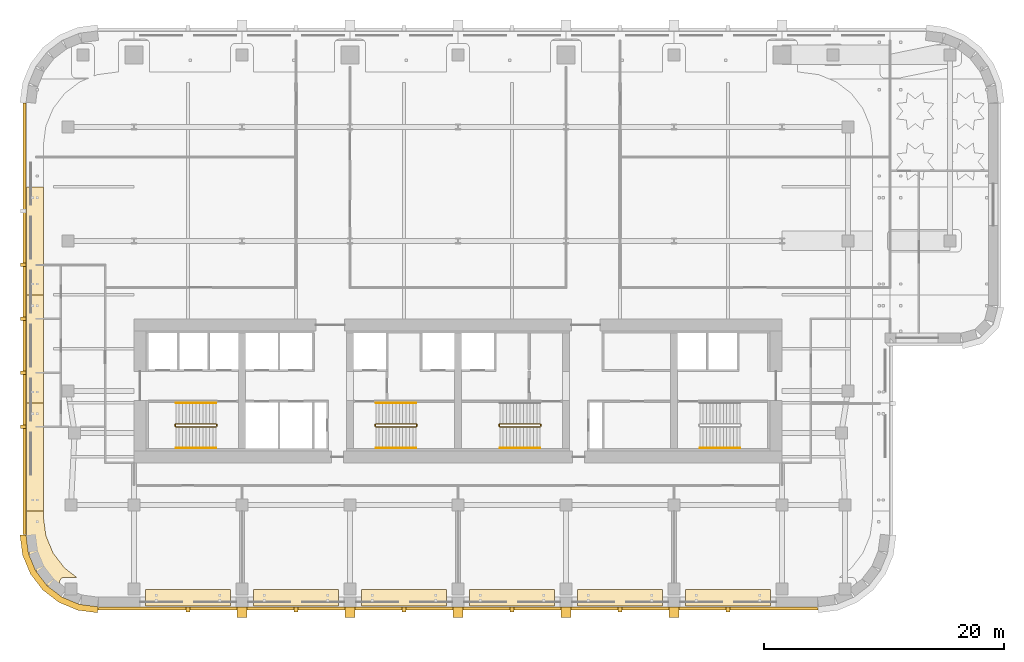
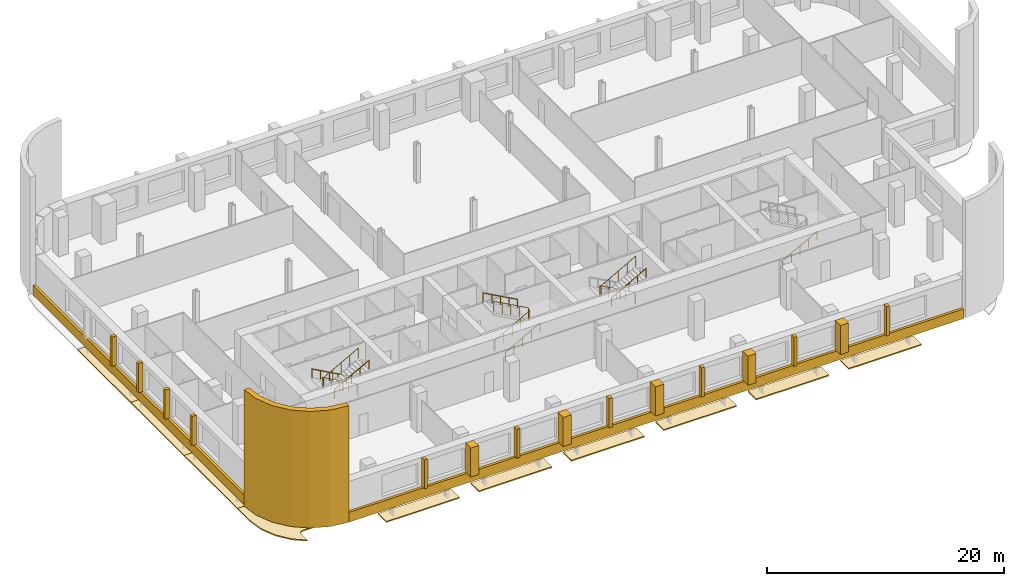
# One storey, part 11 of 13: 28 coverings, 9 railings.
"""IFC4 building model written with IfcOpenShell, lengths in metres."""

from ifc_helpers import new_model, si_unit, direction, frame, origin, origin_2d, place, context, subcontext, project, spatial, polyline, circle, outline, extrude, material, layer, layer_set, type_object, element, save


model = new_model("IFC4")

# Units and contexts
model_context = context("Model", 3, precision=1e-05, world=origin(), true_north=direction((0.0, 1.0)))
body_context = subcontext(model_context, "Body", "Model", "MODEL_VIEW")
ifc_project = project(units=[si_unit("LENGTHUNIT", "METRE"), si_unit("AREAUNIT", "SQUARE_METRE"), si_unit("VOLUMEUNIT", "CUBIC_METRE"), si_unit("PLANEANGLEUNIT", "RADIAN"), si_unit("MASSUNIT", "GRAM", prefix="KILO")], contexts=[model_context])

# Site, building, storey
site_placement = place(None, origin())
site = spatial("IfcSite", under=ifc_project, at=site_placement, CompositionType="ELEMENT")
building_placement = place(site_placement, origin())
building = spatial("IfcBuilding", under=site, at=building_placement, Name="Zellij Exchange Tower", CompositionType="ELEMENT")
storey_placement = place(building_placement, frame((0.0, 0.0, 108.5)))
storey = spatial("IfcBuildingStorey", under=building, at=storey_placement, Name="L23", CompositionType="ELEMENT", Elevation=108.5)

# Railings
ifc_material_1 = material(Name="Stainless steel", Category="steel")
railing_type_1 = type_object("IfcRailingType", Name="CORE-RG stair guard", PredefinedType="GUARDRAIL", material=ifc_material_1)
railing_1_placement = place(storey_placement, frame((-20.10009765625, -10.800048828125, 0.0)))
element("IfcRailing", 1, at=railing_1_placement, inside=storey, type_object=railing_type_1, Name="ST1 stair guard L23", PredefinedType="GUARDRAIL", context=body_context, shape_type="SweptSolid", body=[
    extrude(circle(Radius=0.02392578125, at=origin_2d()), frame((0.0, 0.0, 1.076171875), z_axis=(0.0, -1.0, 0.0), x_axis=(1.0, 0.0, 0.0)), (0.0, 0.0, 1.0), 0.14990234375),
    extrude(circle(Radius=0.02392578125, at=origin_2d()), frame((0.0, -0.14990234375, 1.076171875), z_axis=(-0.193691321961, 0.777613689637, 0.598164376644), x_axis=(-0.970351222016, -0.241699205484, 0.0)), (0.0, 0.0, 1.0), 0.257080078125),
    extrude(circle(Radius=0.02392578125, at=origin_2d()), frame((-0.0498046875, 0.050048828125, 1.22998046875), z_axis=(-0.876421534553, 0.0, 0.481544695509), x_axis=(0.0, -1.0, 0.0)), (0.0, 0.0, 1.0), 3.833984375),
    extrude(circle(Radius=0.02392578125, at=origin_2d()), frame((-3.409912109375, 0.050048828125, 3.076171875), z_axis=(-0.707106781187, -0.707106781187, 0.0), x_axis=(0.707106781187, -0.707106781187, 0.0)), (0.0, 0.0, 1.0), 0.07080078125),
    extrude(circle(Radius=0.02392578125, at=origin_2d()), frame((-3.4599609375, 0.0, 3.076171875), z_axis=(0.0, -1.0, 0.0), x_axis=(1.0, 0.0, 0.0)), (0.0, 0.0, 1.0), 0.14990234375),
    extrude(circle(Radius=0.02392578125, at=origin_2d()), frame((-3.4599609375, -0.14990234375, 3.076171875), z_axis=(0.295599637079, -0.295599637079, 0.908428152975), x_axis=(0.707106781187, 0.707106781187, 0.0)), (0.0, 0.0, 1.0), 0.16943359375),
    extrude(circle(Radius=0.02392578125, at=origin_2d()), frame((-3.409912109375, -0.199951171875, 3.22998046875), z_axis=(0.876421534553, 0.0, 0.481544695509), x_axis=(0.0, 1.0, 0.0)), (0.0, 0.0, 1.0), 3.833984375),
    extrude(circle(Radius=0.02099609375, at=origin_2d()), origin(), (0.0, 0.0, 1.0), 1.052001953125),
    extrude(circle(Radius=0.02099609375, at=origin_2d()), frame((0.0, -0.14990234375, 0.0)), (0.0, 0.0, 1.0), 1.052001953125),
    extrude(circle(Radius=0.02099609375, at=origin_2d()), frame((-0.0498046875, 0.050048828125, 0.15380859375)), (0.0, 0.0, 1.0), 1.052001953125),
    extrude(circle(Radius=0.02099609375, at=origin_2d()), frame((-0.889892578125, 0.050048828125, 0.615234375)), (0.0, 0.0, 1.0), 1.052001953125),
    extrude(circle(Radius=0.02099609375, at=origin_2d()), frame((-1.72998046875, 0.050048828125, 1.076904296875)), (0.0, 0.0, 1.0), 1.052001953125),
    extrude(circle(Radius=0.02099609375, at=origin_2d()), frame((-2.56982421875, 0.050048828125, 1.53857421875)), (0.0, 0.0, 1.0), 1.052001953125),
    extrude(circle(Radius=0.02099609375, at=origin_2d()), frame((-3.409912109375, 0.050048828125, 2.0)), (0.0, 0.0, 1.0), 1.052001953125),
    extrude(circle(Radius=0.02099609375, at=origin_2d()), frame((-3.4599609375, 0.0, 2.0)), (0.0, 0.0, 1.0), 1.052001953125),
    extrude(circle(Radius=0.02099609375, at=origin_2d()), frame((-3.4599609375, -0.14990234375, 2.0)), (0.0, 0.0, 1.0), 1.052001953125),
    extrude(circle(Radius=0.02099609375, at=origin_2d()), frame((-3.409912109375, -0.199951171875, 2.15380859375)), (0.0, 0.0, 1.0), 1.052001953125),
    extrude(circle(Radius=0.02099609375, at=origin_2d()), frame((-2.56982421875, -0.199951171875, 2.615234375)), (0.0, 0.0, 1.0), 1.052001953125),
    extrude(circle(Radius=0.02099609375, at=origin_2d()), frame((-1.72998046875, -0.199951171875, 3.076904296875)), (0.0, 0.0, 1.0), 1.052001953125),
    extrude(circle(Radius=0.02099609375, at=origin_2d()), frame((-0.889892578125, -0.199951171875, 3.53857421875)), (0.0, 0.0, 1.0), 1.052001953125),
    extrude(circle(Radius=0.02099609375, at=origin_2d()), frame((-0.0498046875, -0.199951171875, 4.0)), (0.0, 0.0, 1.0), 1.052001953125),
])
railing_2_placement = place(storey_placement, frame((-6.89990234375, -10.949951171875, 0.0)))
element("IfcRailing", 2, at=railing_2_placement, inside=storey, type_object=railing_type_1, Name="ST2 stair guard L23", PredefinedType="GUARDRAIL", context=body_context, shape_type="SweptSolid", body=[
    extrude(circle(Radius=0.02392578125, at=origin_2d()), frame((0.0, 0.0, 1.076171875), z_axis=(0.0, 1.0, 0.0), x_axis=(-1.0, 0.0, 0.0)), (0.0, 0.0, 1.0), 0.14990234375),
    extrude(circle(Radius=0.02392578125, at=origin_2d()), frame((0.0, 0.14990234375, 1.076171875), z_axis=(0.193691321961, -0.777613689637, 0.598164376644), x_axis=(0.970351222016, 0.241699205484, 0.0)), (0.0, 0.0, 1.0), 0.257080078125),
    extrude(circle(Radius=0.02392578125, at=origin_2d()), frame((0.0498046875, -0.050048828125, 1.22998046875), z_axis=(0.876421534553, 0.0, 0.481544695509), x_axis=(0.0, 1.0, 0.0)), (0.0, 0.0, 1.0), 3.833984375),
    extrude(circle(Radius=0.02392578125, at=origin_2d()), frame((3.409912109375, -0.050048828125, 3.076171875), z_axis=(0.707106781187, 0.707106781187, 0.0), x_axis=(-0.707106781187, 0.707106781187, 0.0)), (0.0, 0.0, 1.0), 0.07080078125),
    extrude(circle(Radius=0.02392578125, at=origin_2d()), frame((3.4599609375, 0.0, 3.076171875), z_axis=(0.0, 1.0, 0.0), x_axis=(-1.0, 0.0, 0.0)), (0.0, 0.0, 1.0), 0.14990234375),
    extrude(circle(Radius=0.02392578125, at=origin_2d()), frame((3.4599609375, 0.14990234375, 3.076171875), z_axis=(-0.295599637079, 0.295599637079, 0.908428152975), x_axis=(-0.707106781187, -0.707106781187, 0.0)), (0.0, 0.0, 1.0), 0.16943359375),
    extrude(circle(Radius=0.02392578125, at=origin_2d()), frame((3.409912109375, 0.199951171875, 3.22998046875), z_axis=(-0.876421534553, 0.0, 0.481544695509), x_axis=(0.0, -1.0, 0.0)), (0.0, 0.0, 1.0), 3.833984375),
    extrude(circle(Radius=0.02099609375, at=origin_2d()), origin(), (0.0, 0.0, 1.0), 1.052001953125),
    extrude(circle(Radius=0.02099609375, at=origin_2d()), frame((0.0, 0.14990234375, 0.0)), (0.0, 0.0, 1.0), 1.052001953125),
    extrude(circle(Radius=0.02099609375, at=origin_2d()), frame((0.0498046875, -0.050048828125, 0.15380859375)), (0.0, 0.0, 1.0), 1.052001953125),
    extrude(circle(Radius=0.02099609375, at=origin_2d()), frame((0.889892578125, -0.050048828125, 0.615234375)), (0.0, 0.0, 1.0), 1.052001953125),
    extrude(circle(Radius=0.02099609375, at=origin_2d()), frame((1.72998046875, -0.050048828125, 1.076904296875)), (0.0, 0.0, 1.0), 1.052001953125),
    extrude(circle(Radius=0.02099609375, at=origin_2d()), frame((2.56982421875, -0.050048828125, 1.53857421875)), (0.0, 0.0, 1.0), 1.052001953125),
    extrude(circle(Radius=0.02099609375, at=origin_2d()), frame((3.409912109375, -0.050048828125, 2.0)), (0.0, 0.0, 1.0), 1.052001953125),
    extrude(circle(Radius=0.02099609375, at=origin_2d()), frame((3.4599609375, 0.0, 2.0)), (0.0, 0.0, 1.0), 1.052001953125),
    extrude(circle(Radius=0.02099609375, at=origin_2d()), frame((3.4599609375, 0.14990234375, 2.0)), (0.0, 0.0, 1.0), 1.052001953125),
    extrude(circle(Radius=0.02099609375, at=origin_2d()), frame((3.409912109375, 0.199951171875, 2.15380859375)), (0.0, 0.0, 1.0), 1.052001953125),
    extrude(circle(Radius=0.02099609375, at=origin_2d()), frame((2.56982421875, 0.199951171875, 2.615234375)), (0.0, 0.0, 1.0), 1.052001953125),
    extrude(circle(Radius=0.02099609375, at=origin_2d()), frame((1.72998046875, 0.199951171875, 3.076904296875)), (0.0, 0.0, 1.0), 1.052001953125),
    extrude(circle(Radius=0.02099609375, at=origin_2d()), frame((0.889892578125, 0.199951171875, 3.53857421875)), (0.0, 0.0, 1.0), 1.052001953125),
    extrude(circle(Radius=0.02099609375, at=origin_2d()), frame((0.0498046875, 0.199951171875, 4.0)), (0.0, 0.0, 1.0), 1.052001953125),
])
railing_3_placement = place(storey_placement, frame((6.89990234375, -10.800048828125, 0.0)))
element("IfcRailing", 3, at=railing_3_placement, inside=storey, type_object=railing_type_1, Name="ST3 stair guard L23", PredefinedType="GUARDRAIL", context=body_context, shape_type="SweptSolid", body=[
    extrude(circle(Radius=0.02392578125, at=origin_2d()), frame((0.0, 0.0, 1.076171875), z_axis=(0.0, -1.0, 0.0), x_axis=(1.0, 0.0, 0.0)), (0.0, 0.0, 1.0), 0.14990234375),
    extrude(circle(Radius=0.02392578125, at=origin_2d()), frame((0.0, -0.14990234375, 1.076171875), z_axis=(-0.193691321961, 0.777613689637, 0.598164376644), x_axis=(-0.970351222016, -0.241699205484, 0.0)), (0.0, 0.0, 1.0), 0.257080078125),
    extrude(circle(Radius=0.02392578125, at=origin_2d()), frame((-0.0498046875, 0.050048828125, 1.22998046875), z_axis=(-0.876421534553, 0.0, 0.481544695509), x_axis=(0.0, -1.0, 0.0)), (0.0, 0.0, 1.0), 3.833984375),
    extrude(circle(Radius=0.02392578125, at=origin_2d()), frame((-3.409912109375, 0.050048828125, 3.076171875), z_axis=(-0.707106781187, -0.707106781187, 0.0), x_axis=(0.707106781187, -0.707106781187, 0.0)), (0.0, 0.0, 1.0), 0.07080078125),
    extrude(circle(Radius=0.02392578125, at=origin_2d()), frame((-3.4599609375, 0.0, 3.076171875), z_axis=(0.0, -1.0, 0.0), x_axis=(1.0, 0.0, 0.0)), (0.0, 0.0, 1.0), 0.14990234375),
    extrude(circle(Radius=0.02392578125, at=origin_2d()), frame((-3.4599609375, -0.14990234375, 3.076171875), z_axis=(0.295599637079, -0.295599637079, 0.908428152975), x_axis=(0.707106781187, 0.707106781187, 0.0)), (0.0, 0.0, 1.0), 0.16943359375),
    extrude(circle(Radius=0.02392578125, at=origin_2d()), frame((-3.409912109375, -0.199951171875, 3.22998046875), z_axis=(0.876421534553, 0.0, 0.481544695509), x_axis=(0.0, 1.0, 0.0)), (0.0, 0.0, 1.0), 3.833984375),
    extrude(circle(Radius=0.02099609375, at=origin_2d()), origin(), (0.0, 0.0, 1.0), 1.052001953125),
    extrude(circle(Radius=0.02099609375, at=origin_2d()), frame((0.0, -0.14990234375, 0.0)), (0.0, 0.0, 1.0), 1.052001953125),
    extrude(circle(Radius=0.02099609375, at=origin_2d()), frame((-0.0498046875, 0.050048828125, 0.15380859375)), (0.0, 0.0, 1.0), 1.052001953125),
    extrude(circle(Radius=0.02099609375, at=origin_2d()), frame((-0.889892578125, 0.050048828125, 0.615234375)), (0.0, 0.0, 1.0), 1.052001953125),
    extrude(circle(Radius=0.02099609375, at=origin_2d()), frame((-1.72998046875, 0.050048828125, 1.076904296875)), (0.0, 0.0, 1.0), 1.052001953125),
    extrude(circle(Radius=0.02099609375, at=origin_2d()), frame((-2.56982421875, 0.050048828125, 1.53857421875)), (0.0, 0.0, 1.0), 1.052001953125),
    extrude(circle(Radius=0.02099609375, at=origin_2d()), frame((-3.409912109375, 0.050048828125, 2.0)), (0.0, 0.0, 1.0), 1.052001953125),
    extrude(circle(Radius=0.02099609375, at=origin_2d()), frame((-3.4599609375, 0.0, 2.0)), (0.0, 0.0, 1.0), 1.052001953125),
    extrude(circle(Radius=0.02099609375, at=origin_2d()), frame((-3.4599609375, -0.14990234375, 2.0)), (0.0, 0.0, 1.0), 1.052001953125),
    extrude(circle(Radius=0.02099609375, at=origin_2d()), frame((-3.409912109375, -0.199951171875, 2.15380859375)), (0.0, 0.0, 1.0), 1.052001953125),
    extrude(circle(Radius=0.02099609375, at=origin_2d()), frame((-2.56982421875, -0.199951171875, 2.615234375)), (0.0, 0.0, 1.0), 1.052001953125),
    extrude(circle(Radius=0.02099609375, at=origin_2d()), frame((-1.72998046875, -0.199951171875, 3.076904296875)), (0.0, 0.0, 1.0), 1.052001953125),
    extrude(circle(Radius=0.02099609375, at=origin_2d()), frame((-0.889892578125, -0.199951171875, 3.53857421875)), (0.0, 0.0, 1.0), 1.052001953125),
    extrude(circle(Radius=0.02099609375, at=origin_2d()), frame((-0.0498046875, -0.199951171875, 4.0)), (0.0, 0.0, 1.0), 1.052001953125),
])
railing_type_2 = type_object("IfcRailingType", Name="CORE-RH stair handrail", PredefinedType="HANDRAIL", material=ifc_material_1)
railing_4_placement = place(storey_placement, frame((-20.14990234375, -9.0, 0.15380859375)))
element("IfcRailing", 4, at=railing_4_placement, inside=storey, type_object=railing_type_2, Name="ST1 stair handrail L23", PredefinedType="HANDRAIL", context=body_context, shape_type="SweptSolid", body=[
    extrude(circle(Radius=0.02392578125, at=origin_2d()), frame((0.0, 0.0, 0.8759765625), z_axis=(-0.876421534553, 0.0, 0.481544695509), x_axis=(0.0, -1.0, 0.0)), (0.0, 0.0, 1.0), 3.833984375),
    extrude(circle(Radius=0.02099609375, at=origin_2d()), origin(), (0.0, 0.0, 1.0), 0.851806640625),
    extrude(circle(Radius=0.02099609375, at=origin_2d()), frame((-0.840087890625, 0.0, 0.46142578125)), (0.0, 0.0, 1.0), 0.851806640625),
    extrude(circle(Radius=0.02099609375, at=origin_2d()), frame((-1.68017578125, 0.0, 0.923095703125)), (0.0, 0.0, 1.0), 0.851806640625),
    extrude(circle(Radius=0.02099609375, at=origin_2d()), frame((-2.52001953125, 0.0, 1.384765625)), (0.0, 0.0, 1.0), 0.851806640625),
    extrude(circle(Radius=0.02099609375, at=origin_2d()), frame((-3.360107421875, 0.0, 1.84619140625)), (0.0, 0.0, 1.0), 0.851806640625),
])
for number, where, name in (
    (5, (-23.510009765625, -12.75, 2.15380859375), "ST1 stair handrail L23"),
    (6, (-6.85009765625, -12.75, 0.15380859375), "ST2 stair handrail L23"),
):
    element("IfcRailing", number, at=place(storey_placement, frame(where)), inside=storey, type_object=railing_type_2, Name=name, PredefinedType="HANDRAIL", context=body_context, shape_type="SweptSolid", body=[
        extrude(circle(Radius=0.02392578125, at=origin_2d()), frame((0.0, 0.0, 0.8759765625), z_axis=(0.876421534553, 0.0, 0.481544695509), x_axis=(0.0, 1.0, 0.0)), (0.0, 0.0, 1.0), 3.833984375),
        extrude(circle(Radius=0.02099609375, at=origin_2d()), origin(), (0.0, 0.0, 1.0), 0.851806640625),
        extrude(circle(Radius=0.02099609375, at=origin_2d()), frame((0.840087890625, 0.0, 0.46142578125)), (0.0, 0.0, 1.0), 0.851806640625),
        extrude(circle(Radius=0.02099609375, at=origin_2d()), frame((1.68017578125, 0.0, 0.923095703125)), (0.0, 0.0, 1.0), 0.851806640625),
        extrude(circle(Radius=0.02099609375, at=origin_2d()), frame((2.52001953125, 0.0, 1.384765625)), (0.0, 0.0, 1.0), 0.851806640625),
        extrude(circle(Radius=0.02099609375, at=origin_2d()), frame((3.360107421875, 0.0, 1.84619140625)), (0.0, 0.0, 1.0), 0.851806640625),
    ])
railing_5_placement = place(storey_placement, frame((-3.489990234375, -9.0, 2.15380859375)))
element("IfcRailing", 7, at=railing_5_placement, inside=storey, type_object=railing_type_2, Name="ST2 stair handrail L23", PredefinedType="HANDRAIL", context=body_context, shape_type="SweptSolid", body=[
    extrude(circle(Radius=0.02392578125, at=origin_2d()), frame((0.0, 0.0, 0.8759765625), z_axis=(-0.876421534553, 0.0, 0.481544695509), x_axis=(0.0, -1.0, 0.0)), (0.0, 0.0, 1.0), 3.833984375),
    extrude(circle(Radius=0.02099609375, at=origin_2d()), origin(), (0.0, 0.0, 1.0), 0.851806640625),
    extrude(circle(Radius=0.02099609375, at=origin_2d()), frame((-0.840087890625, 0.0, 0.46142578125)), (0.0, 0.0, 1.0), 0.851806640625),
    extrude(circle(Radius=0.02099609375, at=origin_2d()), frame((-1.68017578125, 0.0, 0.923095703125)), (0.0, 0.0, 1.0), 0.851806640625),
    extrude(circle(Radius=0.02099609375, at=origin_2d()), frame((-2.52001953125, 0.0, 1.384765625)), (0.0, 0.0, 1.0), 0.851806640625),
    extrude(circle(Radius=0.02099609375, at=origin_2d()), frame((-3.360107421875, 0.0, 1.84619140625)), (0.0, 0.0, 1.0), 0.851806640625),
])
for number, where, name in (
    (8, (3.489990234375, -12.75, 2.15380859375), "ST3 stair handrail L23"),
    (9, (20.14990234375, -12.75, 0.15380859375), "ST4 stair handrail L23"),
):
    element("IfcRailing", number, at=place(storey_placement, frame(where)), inside=storey, type_object=railing_type_2, Name=name, PredefinedType="HANDRAIL", context=body_context, shape_type="SweptSolid", body=[
        extrude(circle(Radius=0.02392578125, at=origin_2d()), frame((0.0, 0.0, 0.8759765625), z_axis=(0.876421534553, 0.0, 0.481544695509), x_axis=(0.0, 1.0, 0.0)), (0.0, 0.0, 1.0), 3.833984375),
        extrude(circle(Radius=0.02099609375, at=origin_2d()), origin(), (0.0, 0.0, 1.0), 0.851806640625),
        extrude(circle(Radius=0.02099609375, at=origin_2d()), frame((0.840087890625, 0.0, 0.46142578125)), (0.0, 0.0, 1.0), 0.851806640625),
        extrude(circle(Radius=0.02099609375, at=origin_2d()), frame((1.68017578125, 0.0, 0.923095703125)), (0.0, 0.0, 1.0), 0.851806640625),
        extrude(circle(Radius=0.02099609375, at=origin_2d()), frame((2.52001953125, 0.0, 1.384765625)), (0.0, 0.0, 1.0), 0.851806640625),
        extrude(circle(Radius=0.02099609375, at=origin_2d()), frame((3.360107421875, 0.0, 1.84619140625)), (0.0, 0.0, 1.0), 0.851806640625),
    ])

# Coverings
ifc_material_2 = material(Name="Limestone cladding", Category="masonry")
ifc_layer_1 = layer(ifc_material_2, 0.5)
ifc_layer_set_1 = layer_set([ifc_layer_1], Name="Limestone cladding")
covering_type_1 = type_object("IfcCoveringType", Name="ENV-CV12 Stone corner pier 500", PredefinedType="CLADDING", material=ifc_layer_set_1)
covering_1_placement = place(storey_placement, origin())
element("IfcCovering", 10, at=covering_1_placement, inside=storey, type_object=covering_type_1, Name="Stone corner pier", PredefinedType="CLADDING", context=body_context, shape_type="SweptSolid", body=[
    extrude(outline(polyline([(-36.0, -20.0), (-35.795654296875, -21.552978515625), (-35.1962890625, -23.0), (-34.24267578125, -24.24267578125), (-33.0, -25.1962890625), (-31.552978515625, -25.795654296875), (-30.0, -26.0), (-30.03271484375, -26.5), (-31.683349609375, -26.28271484375), (-33.252197265625, -25.6328125), (-34.59912109375, -24.59912109375), (-35.6328125, -23.252197265625), (-36.28271484375, -21.683349609375), (-36.5, -20.03271484375), (-36.0, -20.0)])), origin(), (0.0, 0.0, 1.0), 12.0),
])
covering_type_2 = type_object("IfcCoveringType", Name="ENV-CV5 Stone pier 800x900", PredefinedType="CLADDING", material=ifc_material_2)
covering_2_placement = place(storey_placement, frame((0.0, 0.0, 0.800048828125)))
element("IfcCovering", 11, at=covering_2_placement, inside=storey, type_object=covering_type_2, Name="Stone pier", PredefinedType="CLADDING", context=body_context, shape_type="SweptSolid", body=[
    extrude(outline(polyline([(-18.39990234375, -26.0), (-17.60009765625, -26.0), (-17.60009765625, -26.89990234375), (-18.39990234375, -26.89990234375), (-18.39990234375, -26.0)])), origin(), (0.0, 0.0, 1.0), 3.0),
])
covering_3_placement = place(storey_placement, frame((0.0, 0.0, 0.800048828125)))
element("IfcCovering", 12, at=covering_3_placement, inside=storey, type_object=covering_type_2, Name="Stone pier", PredefinedType="CLADDING", context=body_context, shape_type="SweptSolid", body=[
    extrude(outline(polyline([(-9.39990234375, -26.0), (-8.60009765625, -26.0), (-8.60009765625, -26.89990234375), (-9.39990234375, -26.89990234375), (-9.39990234375, -26.0)])), origin(), (0.0, 0.0, 1.0), 3.0),
])
covering_4_placement = place(storey_placement, frame((0.0, 0.0, 0.800048828125)))
element("IfcCovering", 13, at=covering_4_placement, inside=storey, type_object=covering_type_2, Name="Stone pier", PredefinedType="CLADDING", context=body_context, shape_type="SweptSolid", body=[
    extrude(outline(polyline([(-0.39990234375, -26.0), (0.39990234375, -26.0), (0.39990234375, -26.89990234375), (-0.39990234375, -26.89990234375), (-0.39990234375, -26.0)])), origin(), (0.0, 0.0, 1.0), 3.0),
])
covering_5_placement = place(storey_placement, frame((0.0, 0.0, 0.800048828125)))
element("IfcCovering", 14, at=covering_5_placement, inside=storey, type_object=covering_type_2, Name="Stone pier", PredefinedType="CLADDING", context=body_context, shape_type="SweptSolid", body=[
    extrude(outline(polyline([(8.60009765625, -26.0), (9.39990234375, -26.0), (9.39990234375, -26.89990234375), (8.60009765625, -26.89990234375), (8.60009765625, -26.0)])), origin(), (0.0, 0.0, 1.0), 3.0),
])
covering_6_placement = place(storey_placement, frame((0.0, 0.0, 0.800048828125)))
element("IfcCovering", 15, at=covering_6_placement, inside=storey, type_object=covering_type_2, Name="Stone pier", PredefinedType="CLADDING", context=body_context, shape_type="SweptSolid", body=[
    extrude(outline(polyline([(17.60009765625, -26.0), (18.39990234375, -26.0), (18.39990234375, -26.89990234375), (17.60009765625, -26.89990234375), (17.60009765625, -26.0)])), origin(), (0.0, 0.0, 1.0), 3.0),
])
covering_type_3 = type_object("IfcCoveringType", Name="ENV-CV7 Stone pier 300x450", PredefinedType="CLADDING", material=ifc_material_2)
covering_7_placement = place(storey_placement, frame((0.0, 0.0, 0.800048828125)))
element("IfcCovering", 16, at=covering_7_placement, inside=storey, type_object=covering_type_3, Name="Stone pier", PredefinedType="CLADDING", context=body_context, shape_type="SweptSolid", body=[
    extrude(outline(polyline([(-22.64990234375, -26.0), (-22.35009765625, -26.0), (-22.35009765625, -26.449951171875), (-22.64990234375, -26.449951171875), (-22.64990234375, -26.0)])), origin(), (0.0, 0.0, 1.0), 3.0),
])
covering_8_placement = place(storey_placement, frame((0.0, 0.0, 0.800048828125)))
element("IfcCovering", 17, at=covering_8_placement, inside=storey, type_object=covering_type_3, Name="Stone pier", PredefinedType="CLADDING", context=body_context, shape_type="SweptSolid", body=[
    extrude(outline(polyline([(-13.64990234375, -26.0), (-13.35009765625, -26.0), (-13.35009765625, -26.449951171875), (-13.64990234375, -26.449951171875), (-13.64990234375, -26.0)])), origin(), (0.0, 0.0, 1.0), 3.0),
])
covering_9_placement = place(storey_placement, frame((0.0, 0.0, 0.800048828125)))
element("IfcCovering", 18, at=covering_9_placement, inside=storey, type_object=covering_type_3, Name="Stone pier", PredefinedType="CLADDING", context=body_context, shape_type="SweptSolid", body=[
    extrude(outline(polyline([(-4.64990234375, -26.0), (-4.35009765625, -26.0), (-4.35009765625, -26.449951171875), (-4.64990234375, -26.449951171875), (-4.64990234375, -26.0)])), origin(), (0.0, 0.0, 1.0), 3.0),
])
covering_10_placement = place(storey_placement, frame((0.0, 0.0, 0.800048828125)))
element("IfcCovering", 19, at=covering_10_placement, inside=storey, type_object=covering_type_3, Name="Stone pier", PredefinedType="CLADDING", context=body_context, shape_type="SweptSolid", body=[
    extrude(outline(polyline([(4.35009765625, -26.0), (4.64990234375, -26.0), (4.64990234375, -26.449951171875), (4.35009765625, -26.449951171875), (4.35009765625, -26.0)])), origin(), (0.0, 0.0, 1.0), 3.0),
])
covering_11_placement = place(storey_placement, frame((0.0, 0.0, 0.800048828125)))
element("IfcCovering", 20, at=covering_11_placement, inside=storey, type_object=covering_type_3, Name="Stone pier", PredefinedType="CLADDING", context=body_context, shape_type="SweptSolid", body=[
    extrude(outline(polyline([(13.35009765625, -26.0), (13.64990234375, -26.0), (13.64990234375, -26.449951171875), (13.35009765625, -26.449951171875), (13.35009765625, -26.0)])), origin(), (0.0, 0.0, 1.0), 3.0),
])
covering_12_placement = place(storey_placement, frame((0.0, 0.0, 0.800048828125)))
element("IfcCovering", 21, at=covering_12_placement, inside=storey, type_object=covering_type_3, Name="Stone pier", PredefinedType="CLADDING", context=body_context, shape_type="SweptSolid", body=[
    extrude(outline(polyline([(22.35009765625, -26.0), (22.64990234375, -26.0), (22.64990234375, -26.449951171875), (22.35009765625, -26.449951171875), (22.35009765625, -26.0)])), origin(), (0.0, 0.0, 1.0), 3.0),
])
covering_13_placement = place(storey_placement, frame((0.0, 0.0, 0.800048828125)))
element("IfcCovering", 22, at=covering_13_placement, inside=storey, type_object=covering_type_3, Name="Stone pier", PredefinedType="CLADDING", context=body_context, shape_type="SweptSolid", body=[
    extrude(outline(polyline([(-36.0, 2.6435546875), (-36.0, 2.343505859375), (-36.449951171875, 2.343505859375), (-36.449951171875, 2.6435546875), (-36.0, 2.6435546875)])), origin(), (0.0, 0.0, 1.0), 3.0),
])
covering_14_placement = place(storey_placement, frame((0.0, 0.0, 0.800048828125)))
element("IfcCovering", 23, at=covering_14_placement, inside=storey, type_object=covering_type_3, Name="Stone pier", PredefinedType="CLADDING", context=body_context, shape_type="SweptSolid", body=[
    extrude(outline(polyline([(-36.0, -1.85009765625), (-36.0, -2.14990234375), (-36.449951171875, -2.14990234375), (-36.449951171875, -1.85009765625), (-36.0, -1.85009765625)])), origin(), (0.0, 0.0, 1.0), 3.0),
])
covering_15_placement = place(storey_placement, frame((0.0, 0.0, 0.800048828125)))
element("IfcCovering", 24, at=covering_15_placement, inside=storey, type_object=covering_type_3, Name="Stone pier", PredefinedType="CLADDING", context=body_context, shape_type="SweptSolid", body=[
    extrude(outline(polyline([(-36.0, -6.343505859375), (-36.0, -6.643310546875), (-36.449951171875, -6.643310546875), (-36.449951171875, -6.343505859375), (-36.0, -6.343505859375)])), origin(), (0.0, 0.0, 1.0), 3.0),
])
covering_16_placement = place(storey_placement, frame((0.0, 0.0, 0.800048828125)))
element("IfcCovering", 25, at=covering_16_placement, inside=storey, type_object=covering_type_3, Name="Stone pier", PredefinedType="CLADDING", context=body_context, shape_type="SweptSolid", body=[
    extrude(outline(polyline([(-36.0, -10.8369140625), (-36.0, -11.136962890625), (-36.449951171875, -11.136962890625), (-36.449951171875, -10.8369140625), (-36.0, -10.8369140625)])), origin(), (0.0, 0.0, 1.0), 3.0),
])
ifc_layer_2 = layer(ifc_material_2, 0.25)
ifc_layer_set_2 = layer_set([ifc_layer_2], Name="Limestone cladding")
covering_type_4 = type_object("IfcCoveringType", Name="ENV-CV8 Stone spandrel band 250", PredefinedType="CLADDING", material=ifc_layer_set_2)
covering_17_placement = place(storey_placement, frame((0.0, 0.0, -0.199951171875)))
element("IfcCovering", 26, at=covering_17_placement, inside=storey, type_object=covering_type_4, Name="Stone spandrel band", PredefinedType="CLADDING", context=body_context, shape_type="SweptSolid", body=[
    extrude(outline(polyline([(-29.973876953125, -26.0), (29.973876953125, -26.0), (29.990234375, -26.25), (-29.990234375, -26.25), (-29.973876953125, -26.0)])), origin(), (0.0, 0.0, 1.0), 1.0),
])
covering_18_placement = place(storey_placement, frame((0.0, 0.0, -0.199951171875)))
element("IfcCovering", 27, at=covering_18_placement, inside=storey, type_object=covering_type_4, Name="Stone spandrel band", PredefinedType="CLADDING", context=body_context, shape_type="SweptSolid", body=[
    extrude(outline(polyline([(-36.0, 15.973876953125), (-36.0, -19.973876953125), (-36.25, -19.990234375), (-36.25, 15.990234375), (-36.0, 15.973876953125)])), origin(), (0.0, 0.0, 1.0), 1.0),
])
ifc_material_3 = material(Name="Limestone screen", Category="masonry")
ifc_layer_3 = layer(ifc_material_3, 0.1201171875)
ifc_layer_set_3 = layer_set([ifc_layer_3], Name="Limestone screen")
covering_type_5 = type_object("IfcCoveringType", Name="ENV-SC1 Pierced stone screen 120", PredefinedType="USERDEFINED", material=ifc_layer_set_3)
covering_19_placement = place(storey_placement, frame((0.0, 0.0, -1.77001953125)))
element("IfcCovering", 28, at=covering_19_placement, inside=storey, type_object=covering_type_5, Name="Pierced stone screen", ObjectType="SCREEN", PredefinedType="USERDEFINED", context=body_context, shape_type="SweptSolid", body=[
    extrude(outline(polyline([(-34.550048828125, -18.5), (-34.549560546875, -18.506591796875), (-34.34521484375, -20.059326171875), (-34.344482421875, -20.063720703125), (-34.34326171875, -20.06787109375), (-34.341796875, -20.072021484375), (-33.7421875, -21.51904296875), (-33.740478515625, -21.523193359375), (-33.73828125, -21.52685546875), (-33.73583984375, -21.530517578125), (-32.7822265625, -22.773193359375), (-32.779541015625, -22.7763671875), (-32.7763671875, -22.779541015625), (-32.773193359375, -22.7822265625), (-31.772705078125, -23.550048828125), (-32.800048828125, -23.550048828125), (-32.839111328125, -23.552001953125), (-32.8779296875, -23.5576171875), (-32.916015625, -23.567138671875), (-32.953125, -23.580322265625), (-32.988525390625, -23.59716796875), (-33.022216796875, -23.617431640625), (-33.0537109375, -23.640869140625), (-33.082763671875, -23.667236328125), (-33.109130859375, -23.6962890625), (-33.132568359375, -23.727783203125), (-33.15283203125, -23.761474609375), (-33.169677734375, -23.796875), (-33.182861328125, -23.833984375), (-33.1923828125, -23.8720703125), (-33.197998046875, -23.910888671875), (-33.199951171875, -23.949951171875), (-33.199951171875, -24.979736328125), (-34.20703125, -24.20703125), (-35.152587890625, -22.974853515625), (-35.746826171875, -21.539794921875), (-35.949951171875, -19.99658203125), (-35.949951171875, -18.0), (-34.550048828125, -18.0), (-34.550048828125, -18.5)])), origin(), (0.0, 0.0, 1.0), 0.1201171875),
])
covering_20_placement = place(storey_placement, frame((0.0, 0.0, -1.77001953125)))
element("IfcCovering", 29, at=covering_20_placement, inside=storey, type_object=covering_type_5, Name="Pierced stone screen", ObjectType="SCREEN", PredefinedType="USERDEFINED", context=body_context, shape_type="SweptSolid", body=[
    extrude(outline(polyline([(-34.550048828125, -18.0), (-35.949951171875, -18.0), (-35.949951171875, -9.0), (-34.550048828125, -9.0), (-34.550048828125, -18.0)])), origin(), (0.0, 0.0, 1.0), 0.1201171875),
])
covering_21_placement = place(storey_placement, frame((0.0, 0.0, -1.77001953125)))
element("IfcCovering", 30, at=covering_21_placement, inside=storey, type_object=covering_type_5, Name="Pierced stone screen", ObjectType="SCREEN", PredefinedType="USERDEFINED", context=body_context, shape_type="SweptSolid", body=[
    extrude(outline(polyline([(-34.550048828125, -9.0), (-35.949951171875, -9.0), (-35.949951171875, 0.0), (-34.550048828125, 0.0), (-34.550048828125, -9.0)])), origin(), (0.0, 0.0, 1.0), 0.1201171875),
])
covering_22_placement = place(storey_placement, frame((0.0, 0.0, -1.77001953125)))
element("IfcCovering", 31, at=covering_22_placement, inside=storey, type_object=covering_type_5, Name="Pierced stone screen", ObjectType="SCREEN", PredefinedType="USERDEFINED", context=body_context, shape_type="SweptSolid", body=[
    extrude(outline(polyline([(-34.550048828125, 0.0), (-35.949951171875, 0.0), (-35.949951171875, 9.0), (-34.550048828125, 9.0), (-34.550048828125, 0.0)])), origin(), (0.0, 0.0, 1.0), 0.1201171875),
])
covering_23_placement = place(storey_placement, frame((0.0, 0.0, -1.77001953125)))
element("IfcCovering", 32, at=covering_23_placement, inside=storey, type_object=covering_type_5, Name="Pierced stone screen", ObjectType="SCREEN", PredefinedType="USERDEFINED", context=body_context, shape_type="SweptSolid", body=[
    extrude(outline(polyline([(-26.050048828125, -24.550048828125), (-18.949951171875, -24.550048828125), (-18.949951171875, -25.949951171875), (-26.050048828125, -25.949951171875), (-26.050048828125, -24.550048828125)])), origin(), (0.0, 0.0, 1.0), 0.1201171875),
])
covering_24_placement = place(storey_placement, frame((0.0, 0.0, -1.77001953125)))
element("IfcCovering", 33, at=covering_24_placement, inside=storey, type_object=covering_type_5, Name="Pierced stone screen", ObjectType="SCREEN", PredefinedType="USERDEFINED", context=body_context, shape_type="SweptSolid", body=[
    extrude(outline(polyline([(-17.050048828125, -24.550048828125), (-9.949951171875, -24.550048828125), (-9.949951171875, -25.949951171875), (-17.050048828125, -25.949951171875), (-17.050048828125, -24.550048828125)])), origin(), (0.0, 0.0, 1.0), 0.1201171875),
])
covering_25_placement = place(storey_placement, frame((0.0, 0.0, -1.77001953125)))
element("IfcCovering", 34, at=covering_25_placement, inside=storey, type_object=covering_type_5, Name="Pierced stone screen", ObjectType="SCREEN", PredefinedType="USERDEFINED", context=body_context, shape_type="SweptSolid", body=[
    extrude(outline(polyline([(-8.050048828125, -24.550048828125), (-0.949951171875, -24.550048828125), (-0.949951171875, -25.949951171875), (-8.050048828125, -25.949951171875), (-8.050048828125, -24.550048828125)])), origin(), (0.0, 0.0, 1.0), 0.1201171875),
])
covering_26_placement = place(storey_placement, frame((0.0, 0.0, -1.77001953125)))
element("IfcCovering", 35, at=covering_26_placement, inside=storey, type_object=covering_type_5, Name="Pierced stone screen", ObjectType="SCREEN", PredefinedType="USERDEFINED", context=body_context, shape_type="SweptSolid", body=[
    extrude(outline(polyline([(0.949951171875, -24.550048828125), (8.050048828125, -24.550048828125), (8.050048828125, -25.949951171875), (0.949951171875, -25.949951171875), (0.949951171875, -24.550048828125)])), origin(), (0.0, 0.0, 1.0), 0.1201171875),
])
covering_27_placement = place(storey_placement, frame((0.0, 0.0, -1.77001953125)))
element("IfcCovering", 36, at=covering_27_placement, inside=storey, type_object=covering_type_5, Name="Pierced stone screen", ObjectType="SCREEN", PredefinedType="USERDEFINED", context=body_context, shape_type="SweptSolid", body=[
    extrude(outline(polyline([(9.949951171875, -24.550048828125), (17.050048828125, -24.550048828125), (17.050048828125, -25.949951171875), (9.949951171875, -25.949951171875), (9.949951171875, -24.550048828125)])), origin(), (0.0, 0.0, 1.0), 0.1201171875),
])
covering_28_placement = place(storey_placement, frame((0.0, 0.0, -1.77001953125)))
element("IfcCovering", 37, at=covering_28_placement, inside=storey, type_object=covering_type_5, Name="Pierced stone screen", ObjectType="SCREEN", PredefinedType="USERDEFINED", context=body_context, shape_type="SweptSolid", body=[
    extrude(outline(polyline([(18.949951171875, -24.550048828125), (26.050048828125, -24.550048828125), (26.050048828125, -25.949951171875), (18.949951171875, -25.949951171875), (18.949951171875, -24.550048828125)])), origin(), (0.0, 0.0, 1.0), 0.1201171875),
])

save(model, "model.ifc")
